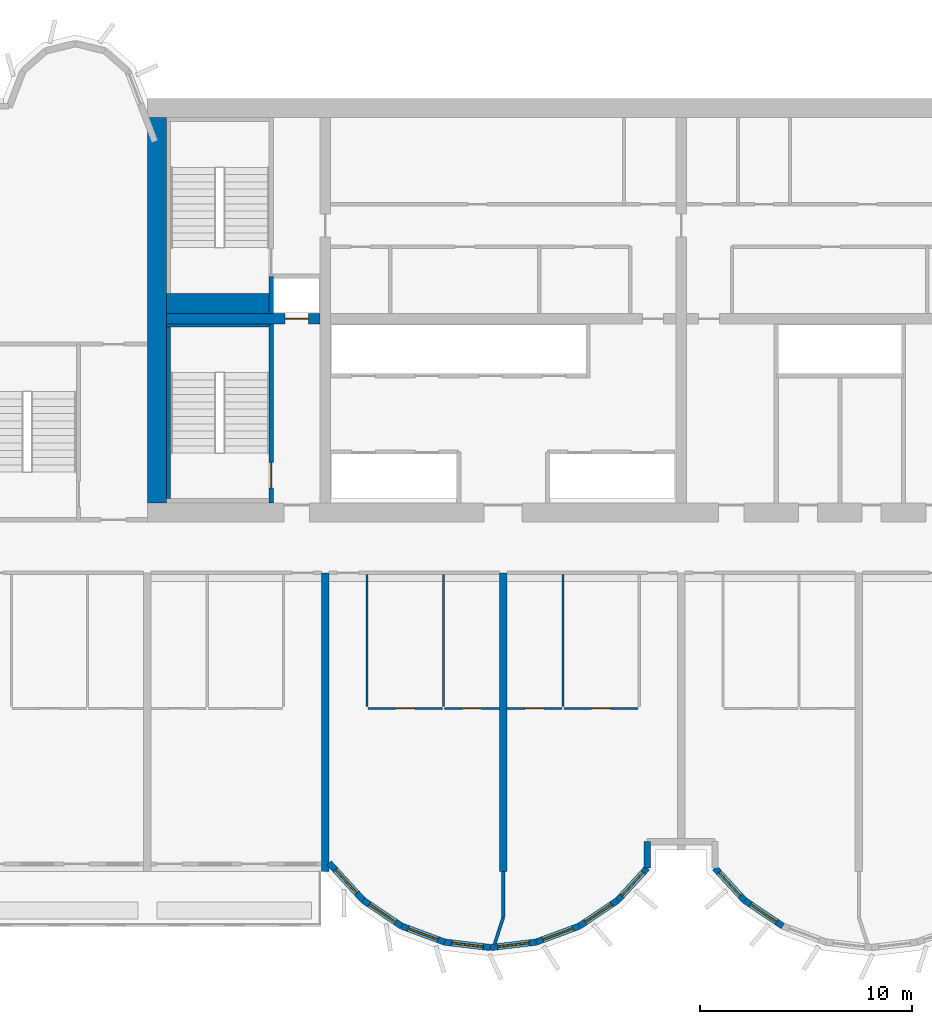
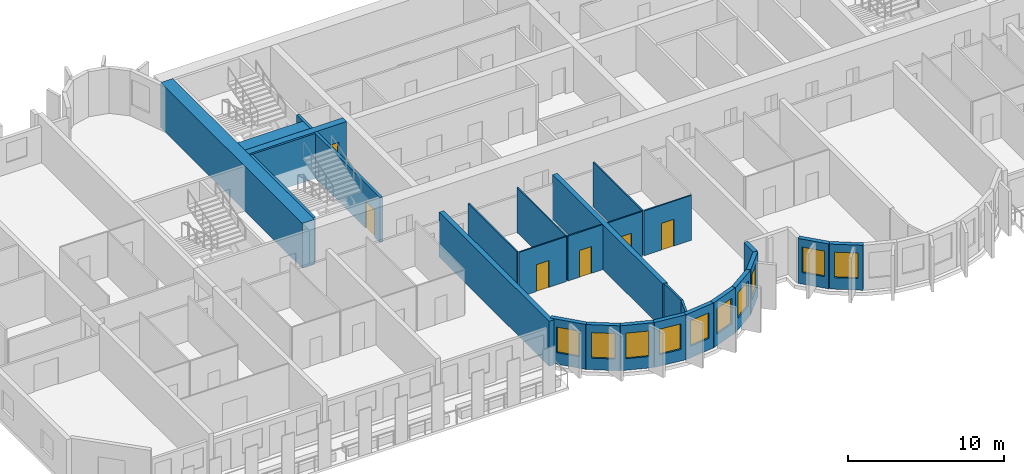
# One storey, part 4 of 14: 29 walls, 10 windows, 6 doors, 16 openings.
"""IFC4 building model written with IfcOpenShell, lengths in metres."""

from ifc_helpers import new_model, si_unit, direction, frame, frame_2d, origin, place, context, subcontext, project, spatial, rectangle, extrude, source, transform, mapped, material, layer, layer_set, type_object, element, fill, save


model = new_model("IFC4")

# Units and contexts
model_context = context("Model", 3, precision=1e-05, world=origin(), true_north=direction((0.0, 1.0)))
body_context = subcontext(model_context, "Body", "Model", "MODEL_VIEW")
ifc_project = project(units=[si_unit("LENGTHUNIT", "METRE"), si_unit("AREAUNIT", "SQUARE_METRE"), si_unit("VOLUMEUNIT", "CUBIC_METRE"), si_unit("PLANEANGLEUNIT", "RADIAN"), si_unit("MASSUNIT", "GRAM", prefix="KILO")], contexts=[model_context])

# Site, building, storey
site_placement = place(None, origin())
site = spatial("IfcSite", under=ifc_project, at=site_placement, CompositionType="ELEMENT")
building_placement = place(site_placement, origin())
building = spatial("IfcBuilding", under=site, at=building_placement, Name="Vanashikhar Sky Hotel", CompositionType="ELEMENT")
storey_placement = place(building_placement, frame((0.0, 0.0, 114.199951171875)))
storey = spatial("IfcBuildingStorey", under=building, at=storey_placement, Name="L27", CompositionType="ELEMENT", Elevation=114.199951171875)

# Wall
ifc_material_1 = material(Name="Concrete M70", Category="concrete")
ifc_layer_1 = layer(ifc_material_1, 0.89990234375)
ifc_layer_set_1 = layer_set([ifc_layer_1], Name="RC core shell wall 900 Concrete M70")
wall_type_1 = type_object("IfcWallType", Name="RC core shell wall 900 Concrete M70", PredefinedType="SHEAR", material=ifc_layer_set_1)
shared_shape_1 = source(origin(), body_context, "Body", "SweptSolid", [
    extrude(rectangle(XDim=18.2001953125, YDim=0.89990234375, at=frame_2d((9.10009765625, 0.0))), origin(), (0.0, 0.0, 1.0), 3.52001953125),
])
wall_1_placement = place(storey_placement, frame((25.64990234375, 22.89990234375, 0.0), z_axis=(0.0, 0.0, 1.0), x_axis=(0.0, 1.0, 0.0)))
element("IfcWall", 1, at=wall_1_placement, inside=storey, type_object=wall_type_1, Name="KW-L27-KW", PredefinedType="SHEAR", context=body_context, shape_type="MappedRepresentation", body=[
    mapped(shared_shape_1, transform((0.0, 0.0, 0.0), scale=1.0)),
])

# Wall, opening, door
ifc_layer_2 = layer(ifc_material_1, 0.5)
ifc_layer_set_2 = layer_set([ifc_layer_2], Name="RC core inner wall 500 Concrete M70")
wall_type_2 = type_object("IfcWallType", Name="RC core inner wall 500 Concrete M70", PredefinedType="SHEAR", material=ifc_layer_set_2)
shared_shape_2 = source(origin(), body_context, "Body", "SweptSolid", [
    extrude(rectangle(XDim=7.25, YDim=0.5, at=frame_2d((3.625, 0.0))), origin(), (0.0, 0.0, 1.0), 3.52001953125),
])
wall_2_placement = place(storey_placement, frame((26.10009765625, 31.60009765625, 0.0), z_axis=(0.0, 0.0, 1.0), x_axis=(1.0, 0.0, 0.0)))
wall_2 = element("IfcWall", 2, at=wall_2_placement, inside=storey, type_object=wall_type_2, Name="KW-L27-KY1", PredefinedType="SHEAR", context=body_context, shape_type="MappedRepresentation", body=[
    mapped(shared_shape_2, transform((0.0, 0.0, 0.0), scale=1.0)),
])
shared_shape_3 = source(origin(), body_context, "Body", "SweptSolid", [
    extrude(rectangle(XDim=1.10009765625, YDim=2.10009765625, at=frame_2d((0.550048828125, 1.050048828125))), frame((0.0, 0.260009765625, 0.0), z_axis=(0.0, -1.0, 0.0), x_axis=(1.0, 0.0, 0.0)), (0.0, 0.0, 1.0), 0.52001953125),
])
opening_1_placement = place(wall_2_placement, frame((5.60009765625, 0.0, 0.0)))
opening_1 = element("IfcOpeningElement", 3, at=opening_1_placement, cuts=wall_2, Name="Opening LD", PredefinedType="OPENING", context=body_context, shape_type="MappedRepresentation", body=[
    mapped(shared_shape_3, transform((0.0, 0.0, 0.0), scale=1.0)),
])
ifc_material_2 = material(Name="Stainless steel", Category="steel")
door_type_1 = type_object("IfcDoorType", Name="Lift landing door 1100", OperationType="NOTDEFINED", PredefinedType="DOOR", material=ifc_material_2)
shared_shape_4 = source(origin(), body_context, "Body", "SweptSolid", [
    extrude(rectangle(XDim=1.10009765625, YDim=2.10009765625, at=frame_2d((0.550048828125, 1.050048828125))), frame((0.0, 0.02490234375, 0.0), z_axis=(0.0, -1.0, 0.0), x_axis=(1.0, 0.0, 0.0)), (0.0, 0.0, 1.0), 0.050048828125),
])
door_1_placement = place(opening_1_placement, origin())
door_1 = element("IfcDoor", 4, at=door_1_placement, inside=storey, type_object=door_type_1, Name="Lift landing door 1100", OperationType="SLIDING_TO_RIGHT", OverallHeight=2.10009765625, OverallWidth=1.10009765625, PredefinedType="DOOR", context=body_context, shape_type="MappedRepresentation", body=[
    mapped(shared_shape_4, transform((0.0, 0.0, 0.0), scale=1.0)),
])
fill(opening_1, door_1)

# Walls
ifc_layer_3 = layer(ifc_material_1, 0.35009765625)
ifc_layer_set_3 = layer_set([ifc_layer_3], Name="RC shear wall 350 Concrete M70")
wall_type_3 = type_object("IfcWallType", Name="RC shear wall 350 Concrete M70", PredefinedType="SHEAR", material=ifc_layer_set_3)
shared_shape_5 = source(origin(), body_context, "Body", "SweptSolid", [
    extrude(rectangle(XDim=14.10009765625, YDim=0.35009765625, at=frame_2d((7.050048828125, 0.0))), origin(), (0.0, 0.0, 1.0), 3.52001953125),
])
for number, where, z_axis, x_axis, name in (
    (5, (33.60009765625, 5.5, 0.0), (0.0, 0.0, 1.0), (0.0, 1.0, 0.0), "CW-L27-XW05-1"),
    (6, (42.0, 5.5, 0.0), (0.0, 0.0, 1.0), (0.0, 1.0, 0.0), "CW-L27-XW06-1"),
):
    element("IfcWall", number, at=place(storey_placement, frame(where, z_axis=z_axis, x_axis=x_axis)), inside=storey, type_object=wall_type_3, Name=name, PredefinedType="SHEAR", context=body_context, shape_type="MappedRepresentation", body=[
        mapped(shared_shape_5, transform((0.0, 0.0, 0.0), scale=1.0)),
    ])

# Wall, opening, window
ifc_material_3 = material(Name="Concrete M50", Category="concrete")
ifc_layer_4 = layer(ifc_material_3, 0.300048828125)
ifc_layer_set_4 = layer_set([ifc_layer_4], Name="Lobe wall 300")
wall_type_4 = type_object("IfcWallType", Name="Lobe wall 300", PredefinedType="SOLIDWALL", material=ifc_layer_set_4)
shared_shape_6 = source(origin(), body_context, "Body", "SweptSolid", [
    extrude(rectangle(XDim=2.398193359375, YDim=0.300048828125, at=frame_2d((1.19921875, 0.0))), origin(), (0.0, 0.0, 1.0), 3.52001953125),
])
wall_3_placement = place(storey_placement, frame((33.776123046875, 5.89990234375, 0.0), z_axis=(0.0, 0.0, 1.0), x_axis=(0.675374189419, -0.737475222815, 0.0)))
wall_3 = element("IfcWall", 7, at=wall_3_placement, inside=storey, type_object=wall_type_4, Name="Lobe wall", PredefinedType="SOLIDWALL", context=body_context, shape_type="MappedRepresentation", body=[
    mapped(shared_shape_6, transform((0.0, 0.0, 0.0), scale=1.0)),
])
shared_shape_7 = source(origin(), body_context, "Body", "SweptSolid", [
    extrude(rectangle(XDim=1.5, YDim=2.0, at=frame_2d((0.75, 1.0))), frame((0.0, 0.16015625, 0.0), z_axis=(0.0, -1.0, 0.0), x_axis=(1.0, 0.0, 0.0)), (0.0, 0.0, 1.0), 0.320068359375),
])
opening_2_placement = place(wall_3_placement, frame((0.44921875, 0.0, 0.89990234375)))
opening_2 = element("IfcOpeningElement", 8, at=opening_2_placement, cuts=wall_3, Name="Opening WN-2", PredefinedType="OPENING", context=body_context, shape_type="MappedRepresentation", body=[
    mapped(shared_shape_7, transform((0.0, 0.0, 0.0), scale=1.0)),
])
ifc_material_4 = material(Name="Glass", Category="glass")
window_type = type_object("IfcWindowType", Name="Lobe window 1500 x 2000", PartitioningType="SINGLE_PANEL", PredefinedType="WINDOW", material=ifc_material_4)
shared_shape_8 = source(origin(), body_context, "Body", "SweptSolid", [
    extrude(rectangle(XDim=1.5, YDim=2.0, at=frame_2d((0.75, 1.0))), frame((0.0, 0.030029296875, 0.0), z_axis=(0.0, -1.0, 0.0), x_axis=(1.0, 0.0, 0.0)), (0.0, 0.0, 1.0), 0.06005859375),
])
window_1_placement = place(opening_2_placement, origin())
window_1 = element("IfcWindow", 9, at=window_1_placement, inside=storey, type_object=window_type, Name="Window WN-2", OverallHeight=2.0, OverallWidth=1.5, PartitioningType="SINGLE_PANEL", PredefinedType="WINDOW", context=body_context, shape_type="MappedRepresentation", body=[
    mapped(shared_shape_8, transform((0.0, 0.0, 0.0), scale=1.0)),
])
fill(opening_2, window_1)

shared_shape_9 = source(origin(), body_context, "Body", "SweptSolid", [
    extrude(rectangle(XDim=2.17578125, YDim=0.300048828125, at=frame_2d((1.087890625, 0.0))), origin(), (0.0, 0.0, 1.0), 3.52001953125),
])
wall_4_placement = place(storey_placement, frame((35.395751953125, 4.13134765625, 0.0), z_axis=(0.0, 0.0, 1.0), x_axis=(0.829590746428, -0.558371913192, 0.0)))
wall_4 = element("IfcWall", 10, at=wall_4_placement, inside=storey, type_object=wall_type_4, Name="Lobe wall", PredefinedType="SOLIDWALL", context=body_context, shape_type="MappedRepresentation", body=[
    mapped(shared_shape_9, transform((0.0, 0.0, 0.0), scale=1.0)),
])
opening_3_placement = place(wall_4_placement, frame((0.337890625, 0.0, 0.89990234375)))
opening_3 = element("IfcOpeningElement", 11, at=opening_3_placement, cuts=wall_4, Name="Opening WN-2", PredefinedType="OPENING", context=body_context, shape_type="MappedRepresentation", body=[
    mapped(shared_shape_7, transform((0.0, 0.0, 0.0), scale=1.0)),
])
window_2_placement = place(opening_3_placement, origin())
window_2 = element("IfcWindow", 12, at=window_2_placement, inside=storey, type_object=window_type, Name="Window WN-2", OverallHeight=2.0, OverallWidth=1.5, PartitioningType="SINGLE_PANEL", PredefinedType="WINDOW", context=body_context, shape_type="MappedRepresentation", body=[
    mapped(shared_shape_8, transform((0.0, 0.0, 0.0), scale=1.0)),
])
fill(opening_3, window_2)

wall_5_placement = place(storey_placement, frame((37.20068359375, 2.91650390625, 0.0), z_axis=(0.0, 0.0, 1.0), x_axis=(0.93754555999, -0.347862505801, 0.0)))
wall_5 = element("IfcWall", 13, at=wall_5_placement, inside=storey, type_object=wall_type_4, Name="Lobe wall", PredefinedType="SOLIDWALL", context=body_context, shape_type="MappedRepresentation", body=[
    mapped(shared_shape_9, transform((0.0, 0.0, 0.0), scale=1.0)),
])
opening_4_placement = place(wall_5_placement, frame((0.337890625, 0.0, 0.89990234375)))
opening_4 = element("IfcOpeningElement", 14, at=opening_4_placement, cuts=wall_5, Name="Opening WN-2", PredefinedType="OPENING", context=body_context, shape_type="MappedRepresentation", body=[
    mapped(shared_shape_7, transform((0.0, 0.0, 0.0), scale=1.0)),
])
window_3_placement = place(opening_4_placement, origin())
window_3 = element("IfcWindow", 15, at=window_3_placement, inside=storey, type_object=window_type, Name="Window WN-2", OverallHeight=2.0, OverallWidth=1.5, PartitioningType="SINGLE_PANEL", PredefinedType="WINDOW", context=body_context, shape_type="MappedRepresentation", body=[
    mapped(shared_shape_8, transform((0.0, 0.0, 0.0), scale=1.0)),
])
fill(opening_4, window_3)

wall_6_placement = place(storey_placement, frame((45.59912109375, 2.91650390625, 0.0), z_axis=(0.0, 0.0, 1.0), x_axis=(0.829625727223, 0.558319937607, 0.0)))
wall_6 = element("IfcWall", 16, at=wall_6_placement, inside=storey, type_object=wall_type_4, Name="Lobe wall", PredefinedType="SOLIDWALL", context=body_context, shape_type="MappedRepresentation", body=[
    mapped(shared_shape_9, transform((0.0, 0.0, 0.0), scale=1.0)),
])
opening_5_placement = place(wall_6_placement, frame((0.337890625, 0.0, 0.89990234375)))
opening_5 = element("IfcOpeningElement", 17, at=opening_5_placement, cuts=wall_6, Name="Opening WN-2", PredefinedType="OPENING", context=body_context, shape_type="MappedRepresentation", body=[
    mapped(shared_shape_7, transform((0.0, 0.0, 0.0), scale=1.0)),
])
window_4_placement = place(opening_5_placement, origin())
window_4 = element("IfcWindow", 18, at=window_4_placement, inside=storey, type_object=window_type, Name="Window WN-2", OverallHeight=2.0, OverallWidth=1.5, PartitioningType="SINGLE_PANEL", PredefinedType="WINDOW", context=body_context, shape_type="MappedRepresentation", body=[
    mapped(shared_shape_8, transform((0.0, 0.0, 0.0), scale=1.0)),
])
fill(opening_5, window_4)

wall_7_placement = place(storey_placement, frame((53.395751953125, 4.13134765625, 0.0), z_axis=(0.0, 0.0, 1.0), x_axis=(0.829590746428, -0.558371913192, 0.0)))
wall_7 = element("IfcWall", 19, at=wall_7_placement, inside=storey, type_object=wall_type_4, Name="Lobe wall", PredefinedType="SOLIDWALL", context=body_context, shape_type="MappedRepresentation", body=[
    mapped(shared_shape_9, transform((0.0, 0.0, 0.0), scale=1.0)),
])
opening_6_placement = place(wall_7_placement, frame((0.337890625, 0.0, 0.89990234375)))
opening_6 = element("IfcOpeningElement", 20, at=opening_6_placement, cuts=wall_7, Name="Opening WN-2", PredefinedType="OPENING", context=body_context, shape_type="MappedRepresentation", body=[
    mapped(shared_shape_7, transform((0.0, 0.0, 0.0), scale=1.0)),
])
window_5_placement = place(opening_6_placement, origin())
window_5 = element("IfcWindow", 21, at=window_5_placement, inside=storey, type_object=window_type, Name="Window WN-2", OverallHeight=2.0, OverallWidth=1.5, PartitioningType="SINGLE_PANEL", PredefinedType="WINDOW", context=body_context, shape_type="MappedRepresentation", body=[
    mapped(shared_shape_8, transform((0.0, 0.0, 0.0), scale=1.0)),
])
fill(opening_6, window_5)

shared_shape_10 = source(origin(), body_context, "Body", "SweptSolid", [
    extrude(rectangle(XDim=2.174560546875, YDim=0.300048828125, at=frame_2d((1.08740234375, 0.0))), origin(), (0.0, 0.0, 1.0), 3.52001953125),
])
wall_8_placement = place(storey_placement, frame((39.240478515625, 2.15966796875, 0.0), z_axis=(0.0, 0.0, 1.0), x_axis=(0.993001132889, -0.118104826659, 0.0)))
wall_8 = element("IfcWall", 22, at=wall_8_placement, inside=storey, type_object=wall_type_4, Name="Lobe wall", PredefinedType="SOLIDWALL", context=body_context, shape_type="MappedRepresentation", body=[
    mapped(shared_shape_10, transform((0.0, 0.0, 0.0), scale=1.0)),
])
opening_7_placement = place(wall_8_placement, frame((0.33740234375, 0.0, 0.89990234375)))
opening_7 = element("IfcOpeningElement", 23, at=opening_7_placement, cuts=wall_8, Name="Opening WN-2", PredefinedType="OPENING", context=body_context, shape_type="MappedRepresentation", body=[
    mapped(shared_shape_7, transform((0.0, 0.0, 0.0), scale=1.0)),
])
window_6_placement = place(opening_7_placement, origin())
window_6 = element("IfcWindow", 24, at=window_6_placement, inside=storey, type_object=window_type, Name="Window WN-2", OverallHeight=2.0, OverallWidth=1.5, PartitioningType="SINGLE_PANEL", PredefinedType="WINDOW", context=body_context, shape_type="MappedRepresentation", body=[
    mapped(shared_shape_8, transform((0.0, 0.0, 0.0), scale=1.0)),
])
fill(opening_7, window_6)

shared_shape_11 = source(origin(), body_context, "Body", "SweptSolid", [
    extrude(rectangle(XDim=2.1748046875, YDim=0.300048828125, at=frame_2d((1.08740234375, 0.0))), origin(), (0.0, 0.0, 1.0), 3.52001953125),
])
wall_9_placement = place(storey_placement, frame((41.39990234375, 1.90283203125, 0.0), z_axis=(0.0, 0.0, 1.0), x_axis=(0.993002698611, 0.118091661648, 0.0)))
wall_9 = element("IfcWall", 25, at=wall_9_placement, inside=storey, type_object=wall_type_4, Name="Lobe wall", PredefinedType="SOLIDWALL", context=body_context, shape_type="MappedRepresentation", body=[
    mapped(shared_shape_11, transform((0.0, 0.0, 0.0), scale=1.0)),
])
opening_8_placement = place(wall_9_placement, frame((0.33740234375, 0.0, 0.89990234375)))
opening_8 = element("IfcOpeningElement", 26, at=opening_8_placement, cuts=wall_9, Name="Opening WN-2", PredefinedType="OPENING", context=body_context, shape_type="MappedRepresentation", body=[
    mapped(shared_shape_7, transform((0.0, 0.0, 0.0), scale=1.0)),
])
window_7_placement = place(opening_8_placement, origin())
window_7 = element("IfcWindow", 27, at=window_7_placement, inside=storey, type_object=window_type, Name="Window WN-2", OverallHeight=2.0, OverallWidth=1.5, PartitioningType="SINGLE_PANEL", PredefinedType="WINDOW", context=body_context, shape_type="MappedRepresentation", body=[
    mapped(shared_shape_8, transform((0.0, 0.0, 0.0), scale=1.0)),
])
fill(opening_8, window_7)

shared_shape_12 = source(origin(), body_context, "Body", "SweptSolid", [
    extrude(rectangle(XDim=2.175537109375, YDim=0.300048828125, at=frame_2d((1.087890625, 0.0))), origin(), (0.0, 0.0, 1.0), 3.52001953125),
])
wall_10_placement = place(storey_placement, frame((43.5595703125, 2.15966796875, 0.0), z_axis=(0.0, 0.0, 1.0), x_axis=(0.937531979054, 0.347899106424, 0.0)))
wall_10 = element("IfcWall", 28, at=wall_10_placement, inside=storey, type_object=wall_type_4, Name="Lobe wall", PredefinedType="SOLIDWALL", context=body_context, shape_type="MappedRepresentation", body=[
    mapped(shared_shape_12, transform((0.0, 0.0, 0.0), scale=1.0)),
])
opening_9_placement = place(wall_10_placement, frame((0.337890625, 0.0, 0.89990234375)))
opening_9 = element("IfcOpeningElement", 29, at=opening_9_placement, cuts=wall_10, Name="Opening WN-2", PredefinedType="OPENING", context=body_context, shape_type="MappedRepresentation", body=[
    mapped(shared_shape_7, transform((0.0, 0.0, 0.0), scale=1.0)),
])
window_8_placement = place(opening_9_placement, origin())
window_8 = element("IfcWindow", 30, at=window_8_placement, inside=storey, type_object=window_type, Name="Window WN-2", OverallHeight=2.0, OverallWidth=1.5, PartitioningType="SINGLE_PANEL", PredefinedType="WINDOW", context=body_context, shape_type="MappedRepresentation", body=[
    mapped(shared_shape_8, transform((0.0, 0.0, 0.0), scale=1.0)),
])
fill(opening_9, window_8)

shared_shape_13 = source(origin(), body_context, "Body", "SweptSolid", [
    extrude(rectangle(XDim=2.066650390625, YDim=0.300048828125, at=frame_2d((1.033203125, 0.0))), origin(), (0.0, 0.0, 1.0), 3.52001953125),
])
wall_11_placement = place(storey_placement, frame((47.404296875, 4.13134765625, 0.0), z_axis=(0.0, 0.0, 1.0), x_axis=(0.675355439877, 0.737492393065, 0.0)))
wall_11 = element("IfcWall", 31, at=wall_11_placement, inside=storey, type_object=wall_type_4, Name="Lobe wall", PredefinedType="SOLIDWALL", context=body_context, shape_type="MappedRepresentation", body=[
    mapped(shared_shape_13, transform((0.0, 0.0, 0.0), scale=1.0)),
])
opening_10_placement = place(wall_11_placement, frame((0.283447265625, 0.0, 0.89990234375)))
opening_10 = element("IfcOpeningElement", 32, at=opening_10_placement, cuts=wall_11, Name="Opening WN-2", PredefinedType="OPENING", context=body_context, shape_type="MappedRepresentation", body=[
    mapped(shared_shape_7, transform((0.0, 0.0, 0.0), scale=1.0)),
])
window_9_placement = place(opening_10_placement, origin())
window_9 = element("IfcWindow", 33, at=window_9_placement, inside=storey, type_object=window_type, Name="Window WN-2", OverallHeight=2.0, OverallWidth=1.5, PartitioningType="SINGLE_PANEL", PredefinedType="WINDOW", context=body_context, shape_type="MappedRepresentation", body=[
    mapped(shared_shape_8, transform((0.0, 0.0, 0.0), scale=1.0)),
])
fill(opening_10, window_9)

wall_12_placement = place(storey_placement, frame((52.0, 5.655517578125, 0.0), z_axis=(0.0, 0.0, 1.0), x_axis=(0.675355439877, -0.737492393065, 0.0)))
wall_12 = element("IfcWall", 34, at=wall_12_placement, inside=storey, type_object=wall_type_4, Name="Lobe wall", PredefinedType="SOLIDWALL", context=body_context, shape_type="MappedRepresentation", body=[
    mapped(shared_shape_13, transform((0.0, 0.0, 0.0), scale=1.0)),
])
opening_11_placement = place(wall_12_placement, frame((0.283447265625, 0.0, 0.89990234375)))
opening_11 = element("IfcOpeningElement", 35, at=opening_11_placement, cuts=wall_12, Name="Opening WN-2", PredefinedType="OPENING", context=body_context, shape_type="MappedRepresentation", body=[
    mapped(shared_shape_7, transform((0.0, 0.0, 0.0), scale=1.0)),
])
window_10_placement = place(opening_11_placement, origin())
window_10 = element("IfcWindow", 36, at=window_10_placement, inside=storey, type_object=window_type, Name="Window WN-2", OverallHeight=2.0, OverallWidth=1.5, PartitioningType="SINGLE_PANEL", PredefinedType="WINDOW", context=body_context, shape_type="MappedRepresentation", body=[
    mapped(shared_shape_8, transform((0.0, 0.0, 0.0), scale=1.0)),
])
fill(opening_11, window_10)

# Wall
shared_shape_14 = source(origin(), body_context, "Body", "SweptSolid", [
    extrude(rectangle(XDim=1.244384765625, YDim=0.300048828125, at=frame_2d((0.6220703125, 0.0))), origin(), (0.0, 0.0, 1.0), 3.52001953125),
])
wall_13_placement = place(storey_placement, frame((48.800048828125, 5.655517578125, 0.0), z_axis=(0.0, 0.0, 1.0), x_axis=(0.0, 1.0, 0.0)))
element("IfcWall", 37, at=wall_13_placement, inside=storey, type_object=wall_type_4, Name="Groove wall", PredefinedType="SOLIDWALL", context=body_context, shape_type="MappedRepresentation", body=[
    mapped(shared_shape_14, transform((0.0, 0.0, 0.0), scale=1.0)),
])

# Wall, opening, door
ifc_layer_5 = layer(ifc_material_3, 0.199951171875)
ifc_layer_set_5 = layer_set([ifc_layer_5], Name="Stair wall 200")
wall_type_5 = type_object("IfcWallType", Name="Stair wall 200", PredefinedType="SOLIDWALL", material=ifc_layer_set_5)
shared_shape_15 = source(origin(), body_context, "Body", "SweptSolid", [
    extrude(rectangle(XDim=8.4501953125, YDim=0.199951171875, at=frame_2d((4.22509765625, 0.0))), origin(), (0.0, 0.0, 1.0), 3.52001953125),
])
wall_14_placement = place(storey_placement, frame((31.050048828125, 22.89990234375, 0.0), z_axis=(0.0, 0.0, 1.0), x_axis=(0.0, 1.0, 0.0)))
wall_14 = element("IfcWall", 38, at=wall_14_placement, inside=storey, type_object=wall_type_5, Name="Stair wall 200", PredefinedType="SOLIDWALL", context=body_context, shape_type="MappedRepresentation", body=[
    mapped(shared_shape_15, transform((0.0, 0.0, 0.0), scale=1.0)),
])
shared_shape_16 = source(origin(), body_context, "Body", "SweptSolid", [
    extrude(rectangle(XDim=1.199951171875, YDim=2.10009765625, at=frame_2d((0.60009765625, 1.050048828125))), frame((0.0, 0.10986328125, 0.0), z_axis=(0.0, -1.0, 0.0), x_axis=(1.0, 0.0, 0.0)), (0.0, 0.0, 1.0), 0.219970703125),
])
opening_12_placement = place(wall_14_placement, frame((0.699951171875, 0.0, 0.0)))
opening_12 = element("IfcOpeningElement", 39, at=opening_12_placement, cuts=wall_14, Name="Opening DC-1", PredefinedType="OPENING", context=body_context, shape_type="MappedRepresentation", body=[
    mapped(shared_shape_16, transform((0.0, 0.0, 0.0), scale=1.0)),
])
ifc_material_5 = material(Name="Steel", Category="steel")
door_type_2 = type_object("IfcDoorType", Name="Stair door 1200 FD120", OperationType="NOTDEFINED", PredefinedType="DOOR", material=ifc_material_5)
shared_shape_17 = source(origin(), body_context, "Body", "SweptSolid", [
    extrude(rectangle(XDim=1.199951171875, YDim=2.10009765625, at=frame_2d((0.60009765625, 1.050048828125))), frame((0.0, 0.02490234375, 0.0), z_axis=(0.0, -1.0, 0.0), x_axis=(1.0, 0.0, 0.0)), (0.0, 0.0, 1.0), 0.050048828125),
])
door_2_placement = place(opening_12_placement, origin())
door_2 = element("IfcDoor", 40, at=door_2_placement, inside=storey, type_object=door_type_2, Name="Stair door 1200 FD120", OperationType="SINGLE_SWING_RIGHT", OverallHeight=2.10009765625, OverallWidth=1.199951171875, PredefinedType="DOOR", context=body_context, shape_type="MappedRepresentation", body=[
    mapped(shared_shape_17, transform((0.0, 0.0, 0.0), scale=1.0)),
])
fill(opening_12, door_2)

# Walls
ifc_material_6 = material(Name="Concrete M40", Category="concrete")
ifc_layer_6 = layer(ifc_material_6, 0.199951171875)
ifc_layer_set_6 = layer_set([ifc_layer_6], Name="Shaft wall 200")
wall_type_6 = type_object("IfcWallType", Name="Shaft wall 200", PredefinedType="SOLIDWALL", material=ifc_layer_set_6)
shared_shape_18 = source(origin(), body_context, "Body", "SweptSolid", [
    extrude(rectangle(XDim=1.75, YDim=0.199951171875, at=frame_2d((0.875, 0.0))), origin(), (0.0, 0.0, 1.0), 3.52001953125),
])
wall_15_placement = place(storey_placement, frame((31.050048828125, 31.85009765625, 0.0), z_axis=(0.0, 0.0, 1.0), x_axis=(0.0, 1.0, 0.0)))
element("IfcWall", 41, at=wall_15_placement, inside=storey, type_object=wall_type_6, Name="Shaft wall 200", PredefinedType="SOLIDWALL", context=body_context, shape_type="MappedRepresentation", body=[
    mapped(shared_shape_18, transform((0.0, 0.0, 0.0), scale=1.0)),
])
ifc_layer_7 = layer(ifc_material_3, 0.14990234375)
ifc_layer_set_7 = layer_set([ifc_layer_7], Name="Stair infill wall 150")
wall_type_7 = type_object("IfcWallType", Name="Stair infill wall 150", PredefinedType="SOLIDWALL", material=ifc_layer_set_7)
shared_shape_19 = source(origin(), body_context, "Body", "SweptSolid", [
    extrude(rectangle(XDim=4.849853515625, YDim=0.14990234375, at=frame_2d((2.4248046875, 0.0))), origin(), (0.0, 0.0, 1.0), 3.52001953125),
])
wall_16_placement = place(storey_placement, frame((26.10009765625, 31.27490234375, 0.0), z_axis=(0.0, 0.0, 1.0), x_axis=(1.0, 0.0, 0.0)))
element("IfcWall", 42, at=wall_16_placement, inside=storey, type_object=wall_type_7, Name="Stair infill wall 150", PredefinedType="SOLIDWALL", context=body_context, shape_type="MappedRepresentation", body=[
    mapped(shared_shape_19, transform((0.0, 0.0, 0.0), scale=1.0)),
])
ifc_layer_8 = layer(ifc_material_3, 0.199951171875)
ifc_layer_set_8 = layer_set([ifc_layer_8], Name="Stair infill wall 200")
wall_type_8 = type_object("IfcWallType", Name="Stair infill wall 200", PredefinedType="SOLIDWALL", material=ifc_layer_set_8)
shared_shape_20 = source(origin(), body_context, "Body", "SweptSolid", [
    extrude(rectangle(XDim=8.099853515625, YDim=0.199951171875, at=frame_2d((4.0498046875, 0.0))), origin(), (0.0, 0.0, 1.0), 3.52001953125),
])
wall_17_placement = place(storey_placement, frame((26.199951171875, 23.10009765625, 0.0), z_axis=(0.0, 0.0, 1.0), x_axis=(0.0, 1.0, 0.0)))
element("IfcWall", 43, at=wall_17_placement, inside=storey, type_object=wall_type_8, Name="Stair infill wall 200", PredefinedType="SOLIDWALL", context=body_context, shape_type="MappedRepresentation", body=[
    mapped(shared_shape_20, transform((0.0, 0.0, 0.0), scale=1.0)),
])
ifc_layer_9 = layer(ifc_material_3, 0.949951171875)
ifc_layer_set_9 = layer_set([ifc_layer_9], Name="Stair infill wall 950")
wall_type_9 = type_object("IfcWallType", Name="Stair infill wall 950", PredefinedType="SOLIDWALL", material=ifc_layer_set_9)
shared_shape_21 = source(origin(), body_context, "Body", "SweptSolid", [
    extrude(rectangle(XDim=4.849853515625, YDim=0.949951171875, at=frame_2d((2.4248046875, 0.0))), origin(), (0.0, 0.0, 1.0), 3.52001953125),
])
wall_18_placement = place(storey_placement, frame((26.10009765625, 32.324951171875, 0.0), z_axis=(0.0, 0.0, 1.0), x_axis=(1.0, 0.0, 0.0)))
element("IfcWall", 44, at=wall_18_placement, inside=storey, type_object=wall_type_9, Name="Stair infill wall 950", PredefinedType="SOLIDWALL", context=body_context, shape_type="MappedRepresentation", body=[
    mapped(shared_shape_21, transform((0.0, 0.0, 0.0), scale=1.0)),
])
ifc_material_7 = material(Name="Gypsum plasterboard partition")
ifc_layer_10 = layer(ifc_material_7, 0.14990234375)
ifc_layer_set_10 = layer_set([ifc_layer_10], Name="Corridor and demising partition 150")
wall_type_10 = type_object("IfcWallType", Name="Corridor and demising partition 150", PredefinedType="PARTITIONING", material=ifc_layer_set_10)
shared_shape_22 = source(origin(), body_context, "Body", "SweptSolid", [
    extrude(rectangle(XDim=2.177978515625, YDim=0.14990234375, at=frame_2d((1.0888671875, 0.0))), origin(), (0.0, 0.0, 1.0), 3.52001953125),
])
wall_19_placement = place(storey_placement, frame((42.0, 3.322021484375, 0.0), z_axis=(0.0, 0.0, 1.0), x_axis=(0.0, 1.0, 0.0)))
element("IfcWall", 45, at=wall_19_placement, inside=storey, type_object=wall_type_10, Name="W-L27-PW057", PredefinedType="PARTITIONING", context=body_context, shape_type="MappedRepresentation", body=[
    mapped(shared_shape_22, transform((0.0, 0.0, 0.0), scale=1.0)),
])

# Wall, opening, door
ifc_layer_11 = layer(ifc_material_7, 0.10009765625)
ifc_layer_set_11 = layer_set([ifc_layer_11], Name="Wet room partition 100")
wall_type_11 = type_object("IfcWallType", Name="Wet room partition 100", PredefinedType="PARTITIONING", material=ifc_layer_set_11)
shared_shape_23 = source(origin(), body_context, "Body", "SweptSolid", [
    extrude(rectangle(XDim=3.5, YDim=0.10009765625, at=frame_2d((1.75, 0.0))), origin(), (0.0, 0.0, 1.0), 3.52001953125),
])
wall_20_placement = place(storey_placement, frame((35.625, 13.199951171875, 0.0), z_axis=(0.0, 0.0, 1.0), x_axis=(1.0, 0.0, 0.0)))
wall_20 = element("IfcWall", 46, at=wall_20_placement, inside=storey, type_object=wall_type_11, Name="W-L27-PW020", PredefinedType="PARTITIONING", context=body_context, shape_type="MappedRepresentation", body=[
    mapped(shared_shape_23, transform((0.0, 0.0, 0.0), scale=1.0)),
])
shared_shape_24 = source(origin(), body_context, "Body", "SweptSolid", [
    extrude(rectangle(XDim=0.89990234375, YDim=2.10009765625, at=frame_2d((0.449951171875, 1.050048828125))), frame((0.0, 0.06005859375, 0.0), z_axis=(0.0, -1.0, 0.0), x_axis=(1.0, 0.0, 0.0)), (0.0, 0.0, 1.0), 0.1201171875),
])
opening_13_placement = place(wall_20_placement, frame((1.300048828125, 0.0, 0.0)))
opening_13 = element("IfcOpeningElement", 47, at=opening_13_placement, cuts=wall_20, Name="Opening D-02", PredefinedType="OPENING", context=body_context, shape_type="MappedRepresentation", body=[
    mapped(shared_shape_24, transform((0.0, 0.0, 0.0), scale=1.0)),
])
ifc_material_8 = material(Name="Timber door", Category="wood")
door_type_3 = type_object("IfcDoorType", Name="Internal door 900", OperationType="NOTDEFINED", PredefinedType="DOOR", material=ifc_material_8)
shared_shape_25 = source(origin(), body_context, "Body", "SweptSolid", [
    extrude(rectangle(XDim=0.89990234375, YDim=2.10009765625, at=frame_2d((0.449951171875, 1.050048828125))), frame((0.0, 0.02490234375, 0.0), z_axis=(0.0, -1.0, 0.0), x_axis=(1.0, 0.0, 0.0)), (0.0, 0.0, 1.0), 0.050048828125),
])
door_3_placement = place(opening_13_placement, origin())
door_3 = element("IfcDoor", 48, at=door_3_placement, inside=storey, type_object=door_type_3, Name="D-L27-012", OperationType="SINGLE_SWING_LEFT", OverallHeight=2.10009765625, OverallWidth=0.89990234375, PredefinedType="DOOR", context=body_context, shape_type="MappedRepresentation", body=[
    mapped(shared_shape_25, transform((0.0, 0.0, 0.0), scale=1.0)),
])
fill(opening_13, door_3)

wall_21_placement = place(storey_placement, frame((44.875, 13.199951171875, 0.0), z_axis=(0.0, 0.0, 1.0), x_axis=(1.0, 0.0, 0.0)))
wall_21 = element("IfcWall", 49, at=wall_21_placement, inside=storey, type_object=wall_type_11, Name="W-L27-PW025", PredefinedType="PARTITIONING", context=body_context, shape_type="MappedRepresentation", body=[
    mapped(shared_shape_23, transform((0.0, 0.0, 0.0), scale=1.0)),
])
opening_14_placement = place(wall_21_placement, frame((1.300048828125, 0.0, 0.0)))
opening_14 = element("IfcOpeningElement", 50, at=opening_14_placement, cuts=wall_21, Name="Opening D-02", PredefinedType="OPENING", context=body_context, shape_type="MappedRepresentation", body=[
    mapped(shared_shape_24, transform((0.0, 0.0, 0.0), scale=1.0)),
])
door_4_placement = place(opening_14_placement, origin())
door_4 = element("IfcDoor", 51, at=door_4_placement, inside=storey, type_object=door_type_3, Name="D-L27-015", OperationType="SINGLE_SWING_RIGHT", OverallHeight=2.10009765625, OverallWidth=0.89990234375, PredefinedType="DOOR", context=body_context, shape_type="MappedRepresentation", body=[
    mapped(shared_shape_25, transform((0.0, 0.0, 0.0), scale=1.0)),
])
fill(opening_14, door_4)

# Walls
shared_shape_26 = source(origin(), body_context, "Body", "SweptSolid", [
    extrude(rectangle(XDim=1.308349609375, YDim=0.14990234375, at=frame_2d((0.654296875, 0.0))), origin(), (0.0, 0.0, 1.0), 3.52001953125),
])
wall_22_placement = place(storey_placement, frame((41.597900390625, 2.076904296875, 0.0), z_axis=(0.0, 0.0, 1.0), x_axis=(0.307313512187, 0.951608325535, 0.0)))
element("IfcWall", 52, at=wall_22_placement, inside=storey, type_object=wall_type_10, Name="W-L27-PW057B0", PredefinedType="PARTITIONING", context=body_context, shape_type="MappedRepresentation", body=[
    mapped(shared_shape_26, transform((0.0, 0.0, 0.0), scale=1.0)),
])
shared_shape_27 = source(origin(), body_context, "Body", "SweptSolid", [
    extrude(rectangle(XDim=6.25, YDim=0.10009765625, at=frame_2d((3.125, 0.0))), origin(), (0.0, 0.0, 1.0), 3.52001953125),
])
for number, where, z_axis, x_axis, name in (
    (53, (35.574951171875, 13.27490234375, 0.0), (0.0, 0.0, 1.0), (0.0, 1.0, 0.0), "W-L27-PW018"),
    (54, (39.175048828125, 13.27490234375, 0.0), (0.0, 0.0, 1.0), (0.0, 1.0, 0.0), "W-L27-PW019"),
    (55, (44.824951171875, 13.27490234375, 0.0), (0.0, 0.0, 1.0), (0.0, 1.0, 0.0), "W-L27-PW024"),
):
    element("IfcWall", number, at=place(storey_placement, frame(where, z_axis=z_axis, x_axis=x_axis)), inside=storey, type_object=wall_type_11, Name=name, PredefinedType="PARTITIONING", context=body_context, shape_type="MappedRepresentation", body=[
        mapped(shared_shape_27, transform((0.0, 0.0, 0.0), scale=1.0)),
    ])

# Wall, opening, door
shared_shape_28 = source(origin(), body_context, "Body", "SweptSolid", [
    extrude(rectangle(XDim=2.599853515625, YDim=0.10009765625, at=frame_2d((1.2998046875, 0.0))), origin(), (0.0, 0.0, 1.0), 3.52001953125),
])
wall_23_placement = place(storey_placement, frame((39.22509765625, 13.199951171875, 0.0), z_axis=(0.0, 0.0, 1.0), x_axis=(1.0, 0.0, 0.0)))
wall_23 = element("IfcWall", 56, at=wall_23_placement, inside=storey, type_object=wall_type_11, Name="W-L27-PW021", PredefinedType="PARTITIONING", context=body_context, shape_type="MappedRepresentation", body=[
    mapped(shared_shape_28, transform((0.0, 0.0, 0.0), scale=1.0)),
])
opening_15_placement = place(wall_23_placement, frame((0.85009765625, 0.0, 0.0)))
opening_15 = element("IfcOpeningElement", 57, at=opening_15_placement, cuts=wall_23, Name="Opening D-02", PredefinedType="OPENING", context=body_context, shape_type="MappedRepresentation", body=[
    mapped(shared_shape_24, transform((0.0, 0.0, 0.0), scale=1.0)),
])
door_5_placement = place(opening_15_placement, origin())
door_5 = element("IfcDoor", 58, at=door_5_placement, inside=storey, type_object=door_type_3, Name="D-L27-013", OperationType="SINGLE_SWING_LEFT", OverallHeight=2.10009765625, OverallWidth=0.89990234375, PredefinedType="DOOR", context=body_context, shape_type="MappedRepresentation", body=[
    mapped(shared_shape_25, transform((0.0, 0.0, 0.0), scale=1.0)),
])
fill(opening_15, door_5)

wall_24_placement = place(storey_placement, frame((42.175048828125, 13.199951171875, 0.0), z_axis=(0.0, 0.0, 1.0), x_axis=(1.0, 0.0, 0.0)))
wall_24 = element("IfcWall", 59, at=wall_24_placement, inside=storey, type_object=wall_type_11, Name="W-L27-PW026", PredefinedType="PARTITIONING", context=body_context, shape_type="MappedRepresentation", body=[
    mapped(shared_shape_28, transform((0.0, 0.0, 0.0), scale=1.0)),
])
opening_16_placement = place(wall_24_placement, frame((0.85009765625, 0.0, 0.0)))
opening_16 = element("IfcOpeningElement", 60, at=opening_16_placement, cuts=wall_24, Name="Opening D-02", PredefinedType="OPENING", context=body_context, shape_type="MappedRepresentation", body=[
    mapped(shared_shape_24, transform((0.0, 0.0, 0.0), scale=1.0)),
])
door_6_placement = place(opening_16_placement, origin())
door_6 = element("IfcDoor", 61, at=door_6_placement, inside=storey, type_object=door_type_3, Name="D-L27-016", OperationType="SINGLE_SWING_RIGHT", OverallHeight=2.10009765625, OverallWidth=0.89990234375, PredefinedType="DOOR", context=body_context, shape_type="MappedRepresentation", body=[
    mapped(shared_shape_25, transform((0.0, 0.0, 0.0), scale=1.0)),
])
fill(opening_16, door_6)

save(model, "model.ifc")
